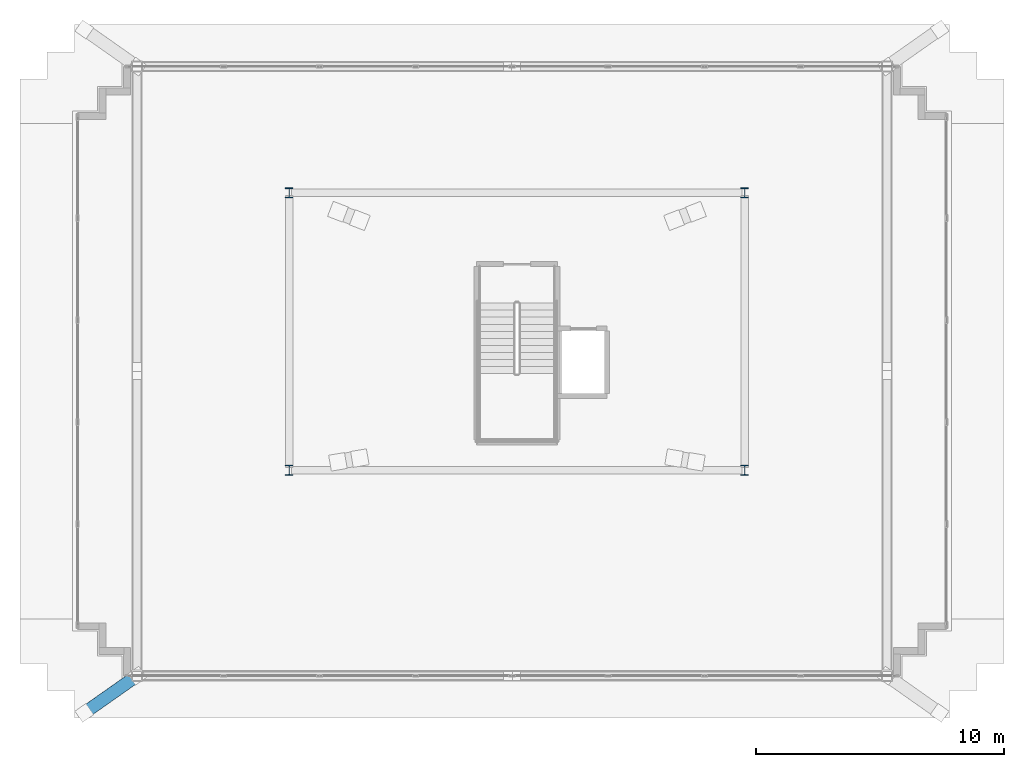
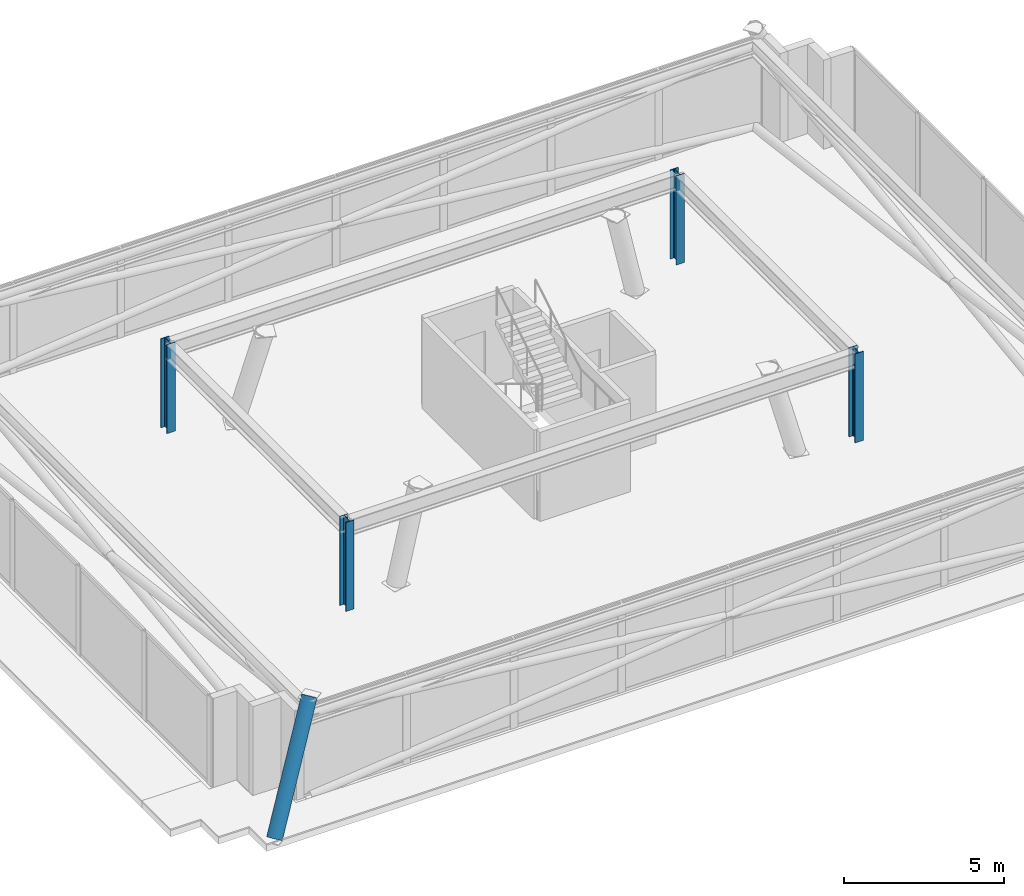
# One storey, part 1 of 18: 4 columns, 1 member.
"""IFC4 building model written with IfcOpenShell, lengths in metres."""

from ifc_helpers import new_model, si_unit, direction, frame, origin, origin_2d, place, context, subcontext, project, spatial, hollow_circle, i_section, extrude, material, material_profile, profile_set, type_object, element, save


model = new_model("IFC4")

# Units and contexts
model_context = context("Model", 3, precision=1e-05, world=origin(), true_north=direction((0.0, 1.0)))
body_context = subcontext(model_context, "Body", "Model", "MODEL_VIEW")
ifc_project = project(units=[si_unit("LENGTHUNIT", "METRE"), si_unit("AREAUNIT", "SQUARE_METRE"), si_unit("VOLUMEUNIT", "CUBIC_METRE"), si_unit("PLANEANGLEUNIT", "RADIAN"), si_unit("MASSUNIT", "GRAM", prefix="KILO")], contexts=[model_context])

# Site, building, storey
site_placement = place(None, origin())
site = spatial("IfcSite", under=ifc_project, at=site_placement, CompositionType="ELEMENT")
building_placement = place(site_placement, origin())
building = spatial("IfcBuilding", under=site, at=building_placement, Name="Qobustan Lattice House", CompositionType="ELEMENT")
storey_placement = place(building_placement, frame((0.0, 0.0, 277.800048828125)))
storey = spatial("IfcBuildingStorey", under=building, at=storey_placement, Name="L78", CompositionType="ELEMENT", Elevation=277.800048828125)

# Columns
ifc_material_1 = material(Name="Steel S355", Category="steel")
ifc_material_profile_1 = material_profile(ifc_material_1, i_section(OverallWidth=0.300048828125, OverallDepth=0.39990234375, WebThickness=0.013427734375, FlangeThickness=0.02392578125, FilletRadius=0.027099609375, at=origin_2d()), Name="HEB400")
ifc_profile_set_1 = profile_set([ifc_material_profile_1], Name="Steel S355")
column_type = type_object("IfcColumnType", Name="COL-ST-HEB400", PredefinedType="COLUMN", material=ifc_profile_set_1)
for number, where, z_axis, x_axis, name in (
    (1, (-9.199951171875, -5.60009765625, 0.0), (0.0, 0.0, 1.0), (1.0, 0.0, 0.0), "L78 crown plumb core column CRN-SW"),
    (2, (9.199951171875, -5.60009765625, 0.0), (0.0, 0.0, 1.0), (1.0, 0.0, 0.0), "L78 crown plumb core column CRN-SE"),
    (3, (9.199951171875, 5.60009765625, 0.0), (0.0, 0.0, 1.0), (1.0, 0.0, 0.0), "L78 crown plumb core column CRN-NE"),
    (4, (-9.199951171875, 5.60009765625, 0.0), (0.0, 0.0, 1.0), (1.0, 0.0, 0.0), "L78 crown plumb core column CRN-NW"),
):
    element("IfcColumn", number, at=place(storey_placement, frame(where, z_axis=z_axis, x_axis=x_axis)), inside=storey, type_object=column_type, Name=name, PredefinedType="COLUMN", context=body_context, shape_type="SweptSolid", body=[
        extrude(i_section(OverallWidth=0.300048828125, OverallDepth=0.39990234375, WebThickness=0.013427734375, FlangeThickness=0.02392578125, FilletRadius=0.027099609375, at=origin_2d()), origin(), (0.0, 0.0, 1.0), 3.39990234375),
    ])

# Member
ifc_material_2 = material(Name="Steel S355", Category="steel")
ifc_material_profile_2 = material_profile(ifc_material_2, hollow_circle(Radius=0.25390625, WallThickness=0.02001953125, at=origin_2d()), Name="CHS508x20")
ifc_profile_set_2 = profile_set([ifc_material_profile_2], Name="Steel S355")
member_type = type_object("IfcMemberType", Name="MEM-STR-CHS508", PredefinedType="STRUT", material=ifc_profile_set_2)
member_placement = place(storey_placement, frame((-17.473388671875, -15.401611328125, 0.0), z_axis=(0.461852718006, 0.325290206346, 0.825153530276), x_axis=(-0.575828097695, 0.817570793207, 0.0)))
element("IfcMember", 5, at=member_placement, inside=storey, type_object=member_type, Name="L78 crown corner raking strut 1", PredefinedType="STRUT", context=body_context, shape_type="SweptSolid", body=[
    extrude(hollow_circle(Radius=0.25390625, WallThickness=0.02001953125, at=origin_2d()), origin(), (0.0, 0.0, 1.0), 4.605224609375),
])

save(model, "model.ifc")
